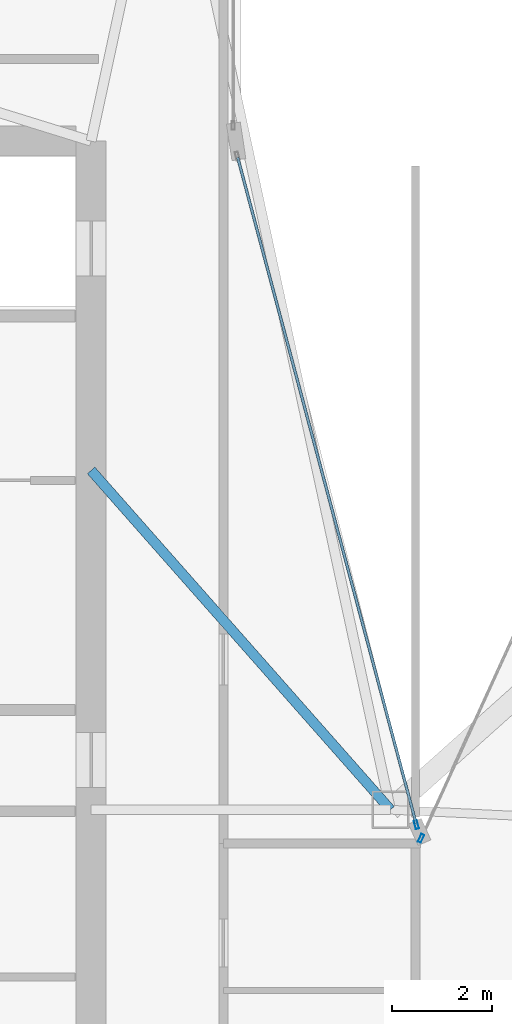
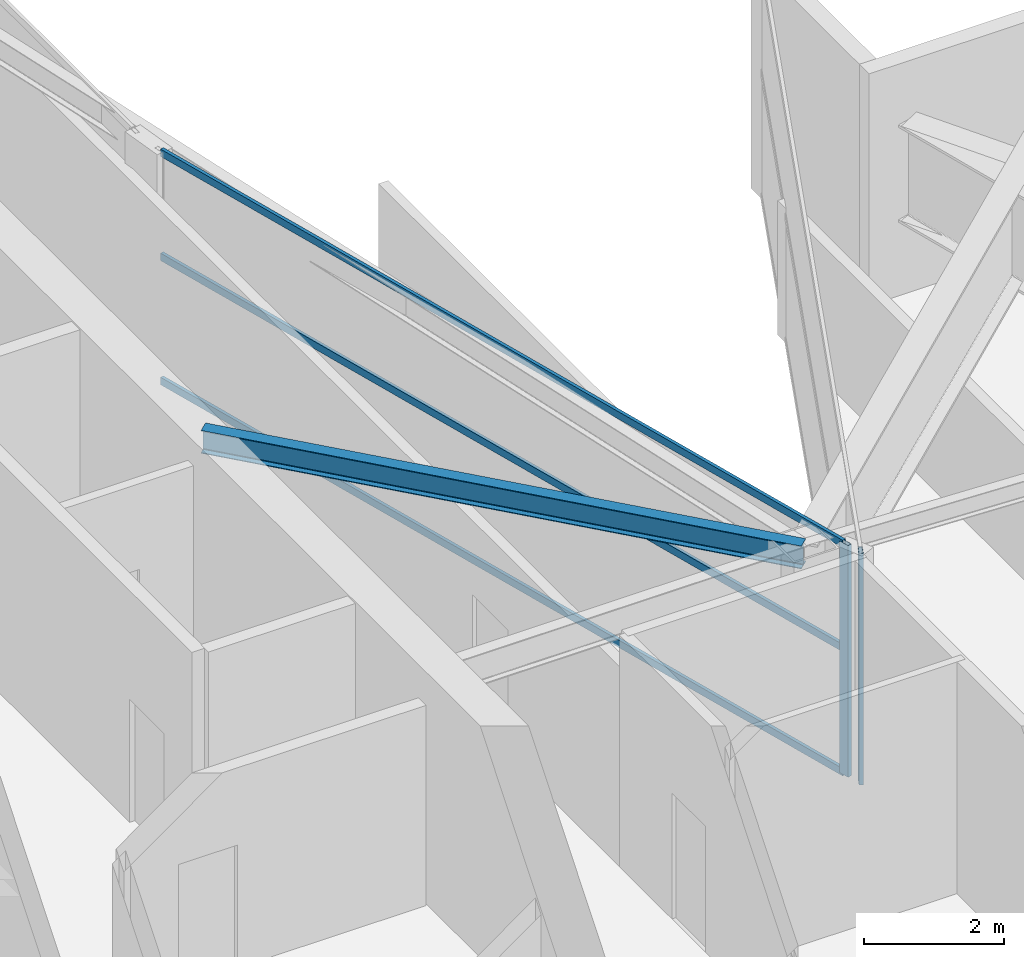
# One storey, part 11 of 26: 5 members, 1 beam, 2 elements without a shape of their own.
"""IFC4 building model written with IfcOpenShell, lengths in metres."""

from ifc_helpers import new_model, si_unit, direction, frame, origin, origin_2d, place, context, subcontext, project, spatial, hollow_rectangle, i_section, extrude, material, layer, layer_set, material_profile, profile_set, type_object, element, aggregate, save


model = new_model("IFC4")

# Units and contexts
model_context = context("Model", 3, precision=1e-05, world=origin(), true_north=direction((0.0, 1.0)))
body_context = subcontext(model_context, "Body", "Model", "MODEL_VIEW")
ifc_project = project(units=[si_unit("LENGTHUNIT", "METRE"), si_unit("AREAUNIT", "SQUARE_METRE"), si_unit("VOLUMEUNIT", "CUBIC_METRE"), si_unit("PLANEANGLEUNIT", "RADIAN"), si_unit("MASSUNIT", "GRAM", prefix="KILO")], contexts=[model_context])

# Site, building, storey
site_placement = place(None, origin())
site = spatial("IfcSite", under=ifc_project, at=site_placement, CompositionType="ELEMENT")
building_placement = place(site_placement, origin())
building = spatial("IfcBuilding", under=site, at=building_placement, Name="Calvorn Quay Hotel", CompositionType="ELEMENT")
storey_placement = place(building_placement, frame((0.0, 0.0, 302.5)))
storey = spatial("IfcBuildingStorey", under=building, at=storey_placement, Name="L75", CompositionType="ELEMENT", Elevation=302.5)

# Beam
ifc_material_1 = material(Name="Steel Q355B", Category="steel")
ifc_material_profile_1 = material_profile(ifc_material_1, i_section(OverallWidth=0.199951171875, OverallDepth=0.39990234375, WebThickness=0.008056640625, FlangeThickness=0.012939453125, FilletRadius=0.01611328125, at=origin_2d()), Name="HN400x200x8x13")
ifc_profile_set_1 = profile_set([ifc_material_profile_1], Name="Steel Q355B")
beam_type = type_object("IfcBeamType", Name="BM-JOIST-TYP", PredefinedType="JOIST", material=ifc_profile_set_1)
beam_placement = place(storey_placement, frame((15.0, 31.800048828125, 3.85009765625), z_axis=(0.661618965899, -0.749840212287, 0.0), x_axis=(0.749840212287, 0.661618965899, 0.0)))
element("IfcBeam", 1, at=beam_placement, inside=storey, type_object=beam_type, Name="Beam BJ-L75-C1", PredefinedType="JOIST", context=body_context, shape_type="SweptSolid", body=[
    extrude(i_section(OverallWidth=0.199951171875, OverallDepth=0.39990234375, WebThickness=0.008056640625, FlangeThickness=0.012939453125, FilletRadius=0.01611328125, at=origin_2d()), origin(), (0.0, 0.0, 1.0), 9.068603515625),
])

# Curtain wall, member
ifc_material_2 = material(Name="Champagne Bronze Anodised Aluminium and Low-E Glass", Category="aluminium")
ifc_layer = layer(ifc_material_2, 0.219970703125)
ifc_layer_set = layer_set([ifc_layer], Name="CW-SYS-Z4")
curtain_wall_type = type_object("IfcCurtainWallType", Name="CW-SYS-Z4", PredefinedType="NOTDEFINED", material=ifc_layer_set)
curtain_wall_1_placement = place(storey_placement, origin())
curtain_wall_1 = element("IfcCurtainWall", 2, at=curtain_wall_1_placement, inside=storey, type_object=curtain_wall_type, Name="Inner Court Curtain Wall L75-NE1", PredefinedType="NOTDEFINED")
ifc_material_3 = material(Name="Champagne Bronze Anodised Aluminium 6063-T6", Category="aluminium")
ifc_material_profile_2 = material_profile(ifc_material_3, hollow_rectangle(XDim=0.06494140625, YDim=0.169921875, WallThickness=0.00341796875, at=origin_2d()), Name="ALU-M170x65x3.5")
ifc_profile_set_2 = profile_set([ifc_material_profile_2], Name="Champagne Bronze Anodised Aluminium 6063-T6")
member_type_1 = type_object("IfcMemberType", Name="CW-SYS-Z4-MUL", PredefinedType="MULLION", material=ifc_profile_set_2)
member_1_placement = place(storey_placement, frame((21.612548828125, 24.42724609375, 0.0), z_axis=(0.0, 0.0, 1.0), x_axis=(0.909907665981, -0.414810847724, 0.0)))
member_1 = element("IfcMember", 3, at=member_1_placement, type_object=member_type_1, Name="CW-L75-NE1 mullion 2", PredefinedType="MULLION", context=body_context, shape_type="SweptSolid", body=[
    extrude(hollow_rectangle(XDim=0.06494140625, YDim=0.169921875, WallThickness=0.00341796875, at=origin_2d()), origin(), (0.0, 0.0, 1.0), 4.050048828125),
])
aggregate(curtain_wall_1, [member_1])

# Curtain wall, members
curtain_wall_2_placement = place(storey_placement, origin())
curtain_wall_2 = element("IfcCurtainWall", 4, at=curtain_wall_2_placement, inside=storey, type_object=curtain_wall_type, Name="Inner Court Curtain Wall L75-IC1", PredefinedType="NOTDEFINED")
member_2_placement = place(storey_placement, frame((21.520263671875, 24.698974609375, 0.0), z_axis=(0.0, 0.0, 1.0), x_axis=(-0.96593652056, -0.25877913024, 0.0)))
member_2 = element("IfcMember", 5, at=member_2_placement, type_object=member_type_1, Name="CW-L75-IC1 mullion 1", PredefinedType="MULLION", context=body_context, shape_type="SweptSolid", body=[
    extrude(hollow_rectangle(XDim=0.06494140625, YDim=0.169921875, WallThickness=0.00341796875, at=origin_2d()), origin(), (0.0, 0.0, 1.0), 4.050048828125),
])
ifc_material_4 = material(Name="Champagne Bronze Anodised Aluminium 6063-T6", Category="aluminium")
ifc_material_profile_3 = material_profile(ifc_material_4, hollow_rectangle(XDim=0.054931640625, YDim=0.1298828125, WallThickness=0.003173828125, at=origin_2d()), Name="ALU-T130x55x3.2")
ifc_profile_set_3 = profile_set([ifc_material_profile_3], Name="Champagne Bronze Anodised Aluminium 6063-T6")
member_type_2 = type_object("IfcMemberType", Name="CW-SYS-Z4-TRN", PredefinedType="USERDEFINED", material=ifc_profile_set_3)
member_3_placement = place(storey_placement, frame((21.512451171875, 24.72802734375, 0.030029296875), z_axis=(-0.258781136883, 0.965935982969, 0.0), x_axis=(-0.965935982969, -0.258781136883, 0.0)))
member_3 = element("IfcMember", 6, at=member_3_placement, type_object=member_type_2, Name="CW-L75-IC1 transom 1.1", ObjectType="TRANSOM", PredefinedType="USERDEFINED", context=body_context, shape_type="SweptSolid", body=[
    extrude(hollow_rectangle(XDim=0.054931640625, YDim=0.1298828125, WallThickness=0.003173828125, at=origin_2d()), origin(), (0.0, 0.0, 1.0), 13.814453125),
])
member_4_placement = place(storey_placement, frame((21.512451171875, 24.72802734375, 2.199951171875), z_axis=(-0.258781136883, 0.965935982969, 0.0), x_axis=(-0.965935982969, -0.258781136883, 0.0)))
member_4 = element("IfcMember", 7, at=member_4_placement, type_object=member_type_2, Name="CW-L75-IC1 transom 1.2", ObjectType="TRANSOM", PredefinedType="USERDEFINED", context=body_context, shape_type="SweptSolid", body=[
    extrude(hollow_rectangle(XDim=0.054931640625, YDim=0.1298828125, WallThickness=0.003173828125, at=origin_2d()), origin(), (0.0, 0.0, 1.0), 13.814453125),
])
member_5_placement = place(storey_placement, frame((21.512451171875, 24.72802734375, 4.02001953125), z_axis=(-0.258781136883, 0.965935982969, 0.0), x_axis=(-0.965935982969, -0.258781136883, 0.0)))
member_5 = element("IfcMember", 8, at=member_5_placement, type_object=member_type_2, Name="CW-L75-IC1 transom 1.3", ObjectType="TRANSOM", PredefinedType="USERDEFINED", context=body_context, shape_type="SweptSolid", body=[
    extrude(hollow_rectangle(XDim=0.054931640625, YDim=0.1298828125, WallThickness=0.003173828125, at=origin_2d()), origin(), (0.0, 0.0, 1.0), 13.814453125),
])
aggregate(curtain_wall_2, [member_2, member_3, member_4, member_5])

save(model, "model.ifc")
